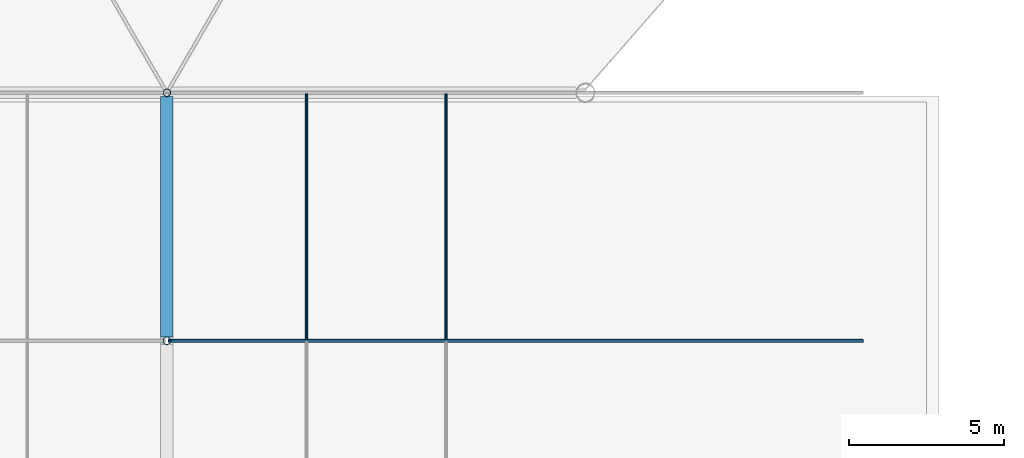
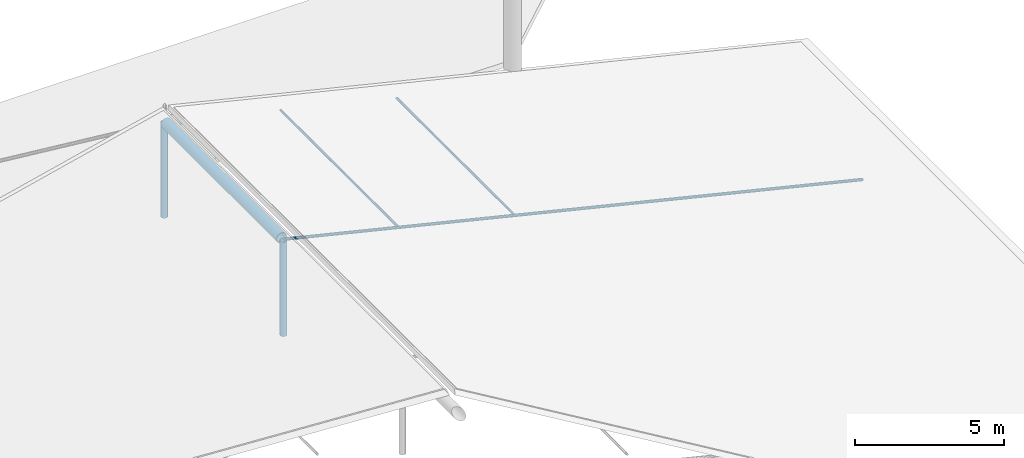
# One storey, part 12 of 71: 6 members.
"""IFC4 building model written with IfcOpenShell, lengths in metres."""

from ifc_helpers import new_model, si_unit, derived_unit, direction, frame, origin, origin_2d, place, context, subcontext, project, spatial, hollow_circle, extrude, material, material_profile, profile_set, type_object, element, save


model = new_model("IFC4")

# Units and contexts
model_context = context("Model", 3, precision=1e-05, world=origin(), true_north=direction((0.0, 1.0)))
body_context = subcontext(model_context, "Body", "Model", "MODEL_VIEW")
ifc_project = project(units=[si_unit("LENGTHUNIT", "METRE"), si_unit("AREAUNIT", "SQUARE_METRE"), si_unit("VOLUMEUNIT", "CUBIC_METRE"), si_unit("PLANEANGLEUNIT", "RADIAN"), si_unit("MASSUNIT", "GRAM", prefix="KILO"), derived_unit("THERMALTRANSMITTANCEUNIT", [(si_unit("MASSUNIT", "GRAM", prefix="KILO"), 1), (si_unit("TIMEUNIT", "SECOND"), -3), (si_unit("THERMODYNAMICTEMPERATUREUNIT", "KELVIN"), -1)])], contexts=[model_context])

# Site, building, storey
site_placement = place(None, origin())
site = spatial("IfcSite", under=ifc_project, at=site_placement, CompositionType="ELEMENT")
building_placement = place(site_placement, origin())
building = spatial("IfcBuilding", under=site, at=building_placement, Name="Zhenchuan Archway Interchange", CompositionType="ELEMENT")
storey_placement = place(building_placement, frame((0.0, 0.0, 18.60009765625)))
storey = spatial("IfcBuildingStorey", under=building, at=storey_placement, Name="L04", CompositionType="ELEMENT", Elevation=18.60009765625)

# Members
ifc_material_1 = material(Name="Steel Q390", Category="steel")
ifc_material_profile_1 = material_profile(ifc_material_1, hollow_circle(Radius=0.056884765625, WallThickness=0.006103515625, at=origin_2d()), Name="CHS 114x6")
ifc_profile_set_1 = profile_set([ifc_material_profile_1], Name="Steel Q390")
member_type_1 = type_object("IfcMemberType", Name="MB_CBL_CHS114", PredefinedType="USERDEFINED", material=ifc_profile_set_1)
member_1_placement = place(storey_placement, frame((49.550048828125, 72.0, 2.75), z_axis=(0.972148755208, 0.0, -0.234364668299), x_axis=(0.0, 1.0, 0.0)))
element("IfcMember", 1, at=member_1_placement, inside=storey, type_object=member_type_1, Name="CONCOURSE ROOF CABLE east radial strand 6", ObjectType="CABLE", PredefinedType="USERDEFINED", context=body_context, shape_type="SweptSolid", body=[
    extrude(hollow_circle(Radius=0.056884765625, WallThickness=0.006103515625, at=origin_2d()), origin(), (0.0, 0.0, 1.0), 23.041748046875),
])
ifc_material_profile_2 = material_profile(ifc_material_1, hollow_circle(Radius=0.04443359375, WallThickness=0.006103515625, at=origin_2d()), Name="CHS 89x6")
ifc_profile_set_2 = profile_set([ifc_material_profile_2], Name="Steel Q390")
member_type_2 = type_object("IfcMemberType", Name="MB_CBL_CHS89", PredefinedType="USERDEFINED", material=ifc_profile_set_2)
for number, where, z_axis, x_axis, name in (
    (2, (54.0, 72.02001953125, 1.639892578125), (0.0, 1.0, 0.0), (-1.0, 0.0, 0.0), "CONCOURSE ROOF CABLE longitudinal net strand 6-4"),
    (3, (58.5, 72.02001953125, 0.559814453125), (0.0, 1.0, 0.0), (-1.0, 0.0, 0.0), "CONCOURSE ROOF CABLE longitudinal net strand 6-5"),
):
    element("IfcMember", number, at=place(storey_placement, frame(where, z_axis=z_axis, x_axis=x_axis)), inside=storey, type_object=member_type_2, Name=name, ObjectType="CABLE", PredefinedType="USERDEFINED", context=body_context, shape_type="SweptSolid", body=[
        extrude(hollow_circle(Radius=0.04443359375, WallThickness=0.006103515625, at=origin_2d()), origin(), (0.0, 0.0, 1.0), 7.9599609375),
    ])
ifc_material_2 = material(Name="Steel Q355", Category="steel")
ifc_material_profile_3 = material_profile(ifc_material_2, hollow_circle(Radius=0.12255859375, WallThickness=0.010009765625, at=origin_2d()), Name="CHS 245x10")
ifc_profile_set_3 = profile_set([ifc_material_profile_3], Name="Steel Q355")
member_type_3 = type_object("IfcMemberType", Name="MB_CHS245", PredefinedType="BRACE", material=ifc_profile_set_3)
for number, where, z_axis, x_axis, name in (
    (4, (49.5, 72.0, -1.150146484375), (0.0, 0.0, 1.0), (1.0, 0.0, 0.0), "ROOF TRUSS concourse arch A5 crown king-post"),
    (5, (49.5, 80.0, -1.150146484375), (0.0, 0.0, 1.0), (1.0, 0.0, 0.0), "ROOF TRUSS concourse arch A6 crown king-post"),
):
    element("IfcMember", number, at=place(storey_placement, frame(where, z_axis=z_axis, x_axis=x_axis)), inside=storey, type_object=member_type_3, Name=name, PredefinedType="BRACE", context=body_context, shape_type="SweptSolid", body=[
        extrude(hollow_circle(Radius=0.12255859375, WallThickness=0.010009765625, at=origin_2d()), origin(), (0.0, 0.0, 1.0), 3.8701171875),
    ])
ifc_material_profile_4 = material_profile(ifc_material_1, hollow_circle(Radius=0.202880859375, WallThickness=0.013916015625, at=origin_2d()), Name="CHS 406x14")
ifc_profile_set_4 = profile_set([ifc_material_profile_4], Name="Steel Q390")
member_type_4 = type_object("IfcMemberType", Name="MB_CHS406", PredefinedType="CHORD", material=ifc_profile_set_4)
member_2_placement = place(storey_placement, frame((49.5, 72.1201171875, 2.75), z_axis=(0.0, 1.0, 0.0), x_axis=(-1.0, 0.0, 0.0)))
element("IfcMember", 6, at=member_2_placement, inside=storey, type_object=member_type_4, Name="CONCOURSE ROOF CABLE crown ridge chord 5", PredefinedType="CHORD", context=body_context, shape_type="SweptSolid", body=[
    extrude(hollow_circle(Radius=0.202880859375, WallThickness=0.013916015625, at=origin_2d()), origin(), (0.0, 0.0, 1.0), 7.759765625),
])

save(model, "model.ifc")
